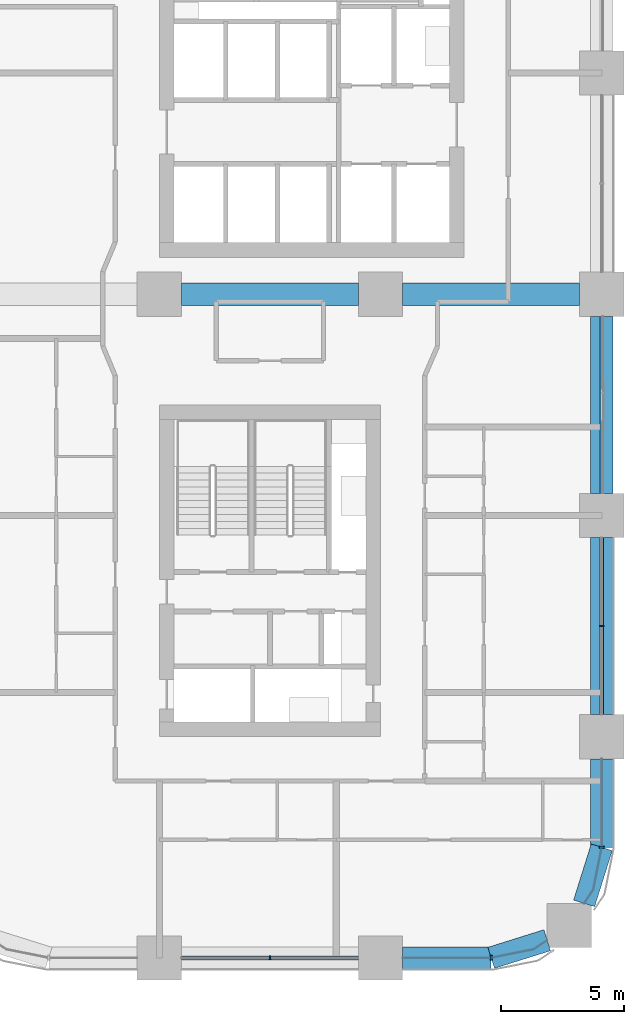
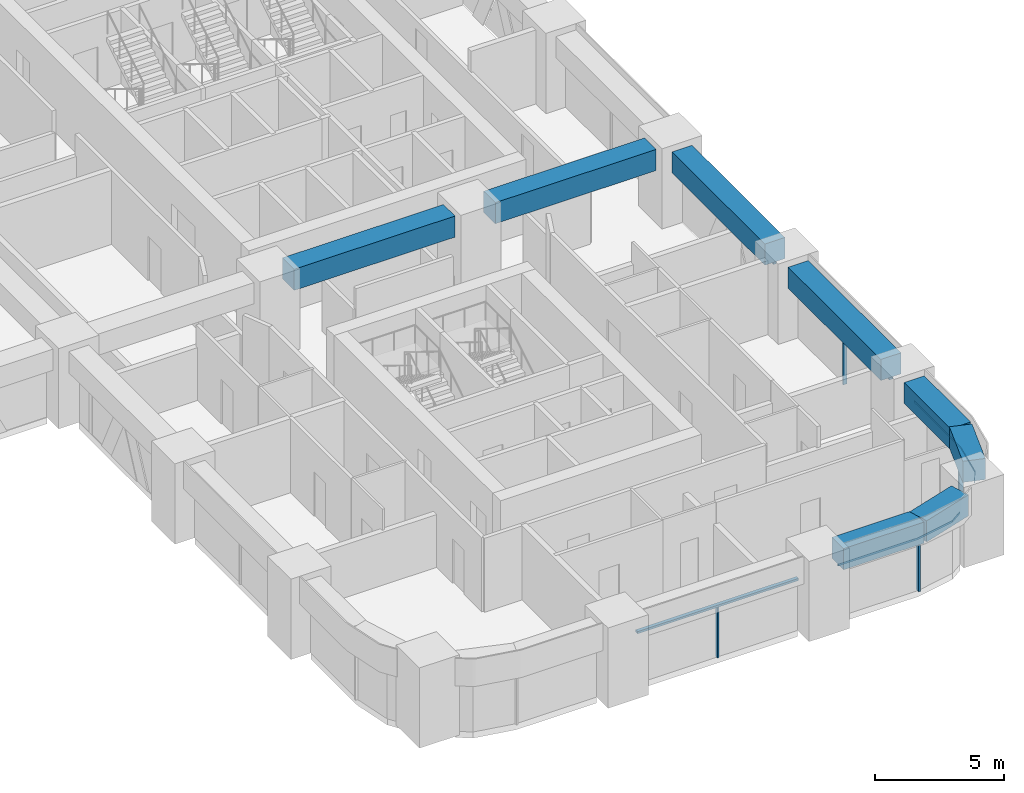
# One storey, part 5 of 24: 9 members, 8 beams, 5 elements without a shape of their own.
"""IFC4 building model written with IfcOpenShell, lengths in metres."""

from ifc_helpers import new_model, si_unit, direction, frame, origin, origin_2d, place, context, subcontext, project, spatial, polyline, rectangle, outline, extrude, material, material_profile, profile_set, type_object, element, aggregate, save


model = new_model("IFC4")

# Units and contexts
model_context = context("Model", 3, precision=1e-05, world=origin(), true_north=direction((0.0, 1.0)))
body_context = subcontext(model_context, "Body", "Model", "MODEL_VIEW")
ifc_project = project(units=[si_unit("LENGTHUNIT", "METRE"), si_unit("AREAUNIT", "SQUARE_METRE"), si_unit("VOLUMEUNIT", "CUBIC_METRE"), si_unit("PLANEANGLEUNIT", "RADIAN"), si_unit("MASSUNIT", "GRAM", prefix="KILO")], contexts=[model_context])

# Site, building, storey
site_placement = place(None, origin())
site = spatial("IfcSite", under=ifc_project, at=site_placement, CompositionType="ELEMENT")
building_placement = place(site_placement, origin())
building = spatial("IfcBuilding", under=site, at=building_placement, Name="Tessera Arch", CompositionType="ELEMENT")
storey_placement = place(building_placement, frame((0.0, 0.0, 112.0)))
storey = spatial("IfcBuildingStorey", under=building, at=storey_placement, Name="L26", CompositionType="ELEMENT", Elevation=112.0)

# Curtain wall, member
ifc_material_1 = material(Name="CW1 curtain wall")
curtain_wall_type_1 = type_object("IfcCurtainWallType", Name="CW1 curtain wall", PredefinedType="NOTDEFINED", material=ifc_material_1)
curtain_wall_1_placement = place(storey_placement, origin())
curtain_wall_1 = element("IfcCurtainWall", 1, at=curtain_wall_1_placement, inside=storey, type_object=curtain_wall_type_1, Name="CW1 curtain wall S0.27/1 L26", PredefinedType="NOTDEFINED")
ifc_material_2 = material(Name="Anodised aluminium pale metal", Category="aluminium")
ifc_material_profile_1 = material_profile(ifc_material_2, rectangle(XDim=0.159912109375, YDim=0.06005859375, at=origin_2d()), Name="AL 60x160")
ifc_profile_set_1 = profile_set([ifc_material_profile_1], Name="Anodised aluminium pale metal")
member_type_1 = type_object("IfcMemberType", Name="CW1 mullion", PredefinedType="MULLION", material=ifc_profile_set_1)
member_1_placement = place(storey_placement, frame((40.5, 0.0, 0.0), z_axis=(0.0, 0.0, 1.0), x_axis=(0.0, 1.0, 0.0)))
member_1 = element("IfcMember", 2, at=member_1_placement, type_object=member_type_1, Name="CW1 mullion S0.27/1 1", PredefinedType="MULLION", context=body_context, shape_type="SweptSolid", body=[
    extrude(rectangle(XDim=0.159912109375, YDim=0.06005859375, at=origin_2d()), origin(), (0.0, 0.0, 1.0), 2.39990234375),
])

curtain_wall_2_placement = place(storey_placement, origin())
curtain_wall_2 = element("IfcCurtainWall", 3, at=curtain_wall_2_placement, inside=storey, type_object=curtain_wall_type_1, Name="CW1 curtain wall E54.0/1 L26", PredefinedType="NOTDEFINED")
member_2_placement = place(storey_placement, frame((54.0, 13.5, 0.0), z_axis=(0.0, 0.0, 1.0), x_axis=(-1.0, 0.0, 0.0)))
member_2 = element("IfcMember", 4, at=member_2_placement, type_object=member_type_1, Name="CW1 mullion E54.0/1 1", PredefinedType="MULLION", context=body_context, shape_type="SweptSolid", body=[
    extrude(rectangle(XDim=0.159912109375, YDim=0.06005859375, at=origin_2d()), origin(), (0.0, 0.0, 1.0), 2.39990234375),
])

# Member
ifc_material_3 = material(Name="Anodised aluminium pale metal", Category="aluminium")
ifc_material_profile_2 = material_profile(ifc_material_3, rectangle(XDim=0.159912109375, YDim=0.10009765625, at=origin_2d()), Name="AL 160x100")
ifc_profile_set_2 = profile_set([ifc_material_profile_2], Name="Anodised aluminium pale metal")
member_type_2 = type_object("IfcMemberType", Name="CW1 transom", PredefinedType="USERDEFINED", material=ifc_profile_set_2)
member_3_placement = place(storey_placement, frame((36.89990234375, 0.0, 2.449951171875), z_axis=(1.0, 0.0, 0.0), x_axis=(0.0, 1.0, 0.0)))
member_3 = element("IfcMember", 5, at=member_3_placement, type_object=member_type_2, Name="CW1 transom S0.27/1 1.1", ObjectType="TRANSOM", PredefinedType="USERDEFINED", context=body_context, shape_type="SweptSolid", body=[
    extrude(rectangle(XDim=0.159912109375, YDim=0.10009765625, at=origin_2d()), origin(), (0.0, 0.0, 1.0), 7.2001953125),
])

aggregate(curtain_wall_1, [member_1, member_3])

member_4_placement = place(storey_placement, frame((54.0, 9.89990234375, 2.449951171875), z_axis=(0.0, 1.0, 0.0), x_axis=(-1.0, 0.0, 0.0)))
member_4 = element("IfcMember", 6, at=member_4_placement, type_object=member_type_2, Name="CW1 transom E54.0/1 1.1", ObjectType="TRANSOM", PredefinedType="USERDEFINED", context=body_context, shape_type="SweptSolid", body=[
    extrude(rectangle(XDim=0.159912109375, YDim=0.10009765625, at=origin_2d()), origin(), (0.0, 0.0, 1.0), 7.2001953125),
])

aggregate(curtain_wall_2, [member_2, member_4])

# Curtain wall, member
ifc_material_4 = material(Name="CW2 curtain wall")
curtain_wall_type_2 = type_object("IfcCurtainWallType", Name="CW2 curtain wall", PredefinedType="NOTDEFINED", material=ifc_material_4)
curtain_wall_3_placement = place(storey_placement, origin())
curtain_wall_3 = element("IfcCurtainWall", 7, at=curtain_wall_3_placement, inside=storey, type_object=curtain_wall_type_2, Name="CW2 curtain wall S0.27/2 L26", PredefinedType="NOTDEFINED")
ifc_material_5 = material(Name="Anodised aluminium pale metal", Category="aluminium")
ifc_material_profile_3 = material_profile(ifc_material_5, rectangle(XDim=0.199951171875, YDim=0.080078125, at=origin_2d()), Name="AL 80x200")
ifc_profile_set_3 = profile_set([ifc_material_profile_3], Name="Anodised aluminium pale metal")
member_type_3 = type_object("IfcMemberType", Name="CW2 mullion", PredefinedType="MULLION", material=ifc_profile_set_3)
member_5_placement = place(storey_placement, frame((49.5, 0.0, 0.0), z_axis=(0.0, 0.0, 1.0), x_axis=(0.0, 1.0, 0.0)))
member_5 = element("IfcMember", 8, at=member_5_placement, type_object=member_type_3, Name="CW2 mullion S0.27/2 1", PredefinedType="MULLION", context=body_context, shape_type="SweptSolid", body=[
    extrude(rectangle(XDim=0.199951171875, YDim=0.080078125, at=origin_2d()), origin(), (0.0, 0.0, 1.0), 2.39990234375),
])

curtain_wall_4_placement = place(storey_placement, origin())
curtain_wall_4 = element("IfcCurtainWall", 9, at=curtain_wall_4_placement, inside=storey, type_object=curtain_wall_type_2, Name="CW2 curtain wall E54.0/0 L26", PredefinedType="NOTDEFINED")
member_6_placement = place(storey_placement, frame((54.0, 4.5, 0.0), z_axis=(0.0, 0.0, 1.0), x_axis=(-1.0, 0.0, 0.0)))
member_6 = element("IfcMember", 10, at=member_6_placement, type_object=member_type_3, Name="CW2 mullion E54.0/0 1", PredefinedType="MULLION", context=body_context, shape_type="SweptSolid", body=[
    extrude(rectangle(XDim=0.199951171875, YDim=0.080078125, at=origin_2d()), origin(), (0.0, 0.0, 1.0), 2.39990234375),
])

# Member
ifc_material_6 = material(Name="Anodised aluminium pale metal", Category="aluminium")
ifc_material_profile_4 = material_profile(ifc_material_6, rectangle(XDim=0.199951171875, YDim=0.10009765625, at=origin_2d()), Name="AL 200x100")
ifc_profile_set_4 = profile_set([ifc_material_profile_4], Name="Anodised aluminium pale metal")
member_type_4 = type_object("IfcMemberType", Name="CW2 transom", PredefinedType="USERDEFINED", material=ifc_profile_set_4)
member_7_placement = place(storey_placement, frame((0.0, 0.0, 2.39990234375)))
member_7 = element("IfcMember", 11, at=member_7_placement, type_object=member_type_4, Name="CW2 transom S0.27/2 1", ObjectType="TRANSOM", PredefinedType="USERDEFINED", context=body_context, shape_type="SweptSolid", body=[
    extrude(outline(polyline([(49.4990234375, 0.010009765625), (45.89990234375, 0.010009765625), (45.89990234375, -0.010009765625), (49.5009765625, -0.010009765625), (51.22607421875, 0.3330078125), (51.78759765625, 0.70849609375), (51.7763671875, 0.72509765625), (51.21826171875, 0.351806640625), (49.4990234375, 0.010009765625)])), origin(), (0.0, 0.0, 1.0), 0.10009765625),
])

aggregate(curtain_wall_3, [member_5, member_7])

member_8_placement = place(storey_placement, frame((0.0, 0.0, 2.39990234375)))
member_8 = element("IfcMember", 12, at=member_8_placement, type_object=member_type_4, Name="CW2 transom E54.0/0 1", ObjectType="TRANSOM", PredefinedType="USERDEFINED", context=body_context, shape_type="SweptSolid", body=[
    extrude(outline(polyline([(53.648193359375, 2.78173828125), (53.27490234375, 2.2236328125), (53.29150390625, 2.21240234375), (53.6669921875, 2.77392578125), (54.010009765625, 4.4990234375), (54.010009765625, 8.10009765625), (53.989990234375, 8.10009765625), (53.989990234375, 4.5009765625), (53.648193359375, 2.78173828125)])), origin(), (0.0, 0.0, 1.0), 0.10009765625),
])

aggregate(curtain_wall_4, [member_6, member_8])

# Curtain wall, member
ifc_material_7 = material(Name="CW3 curtain wall")
curtain_wall_type_3 = type_object("IfcCurtainWallType", Name="CW3 curtain wall", PredefinedType="NOTDEFINED", material=ifc_material_7)
curtain_wall_5_placement = place(storey_placement, origin())
curtain_wall_5 = element("IfcCurtainWall", 13, at=curtain_wall_5_placement, inside=storey, type_object=curtain_wall_type_3, Name="CW3 curtain wall E54.0/2 L26", PredefinedType="NOTDEFINED")
ifc_material_8 = material(Name="Anodised aluminium pale metal", Category="aluminium")
ifc_material_profile_5 = material_profile(ifc_material_8, rectangle(XDim=0.139892578125, YDim=0.10009765625, at=origin_2d()), Name="AL 140x100")
ifc_profile_set_5 = profile_set([ifc_material_profile_5], Name="Anodised aluminium pale metal")
member_type_5 = type_object("IfcMemberType", Name="CW3 transom", PredefinedType="USERDEFINED", material=ifc_profile_set_5)
member_9_placement = place(storey_placement, frame((54.0, 18.89990234375, 2.449951171875), z_axis=(0.0, 1.0, 0.0), x_axis=(-1.0, 0.0, 0.0)))
member_9 = element("IfcMember", 14, at=member_9_placement, type_object=member_type_5, Name="CW3 transom E54.0/2 1.1", ObjectType="TRANSOM", PredefinedType="USERDEFINED", context=body_context, shape_type="SweptSolid", body=[
    extrude(rectangle(XDim=0.139892578125, YDim=0.10009765625, at=origin_2d()), origin(), (0.0, 0.0, 1.0), 7.2001953125),
])
aggregate(curtain_wall_5, [member_9])

# Beams
ifc_material_9 = material(Name="Concrete C80/95", Category="concrete")
ifc_material_profile_6 = material_profile(ifc_material_9, rectangle(XDim=0.89990234375, YDim=1.0, at=origin_2d()), Name="RC spandrel beam 900 x 1000 Concrete C80/95")
ifc_profile_set_6 = profile_set([ifc_material_profile_6], Name="Concrete C80/95")
beam_type = type_object("IfcBeamType", Name="RC spandrel beam 900 x 1000 Concrete C80/95", PredefinedType="BEAM", material=ifc_profile_set_6)
beam_1_placement = place(storey_placement, frame((45.89990234375, 0.0, 3.0), z_axis=(1.0, 0.0, 0.0), x_axis=(0.0, 1.0, 0.0)))
element("IfcBeam", 15, at=beam_1_placement, inside=storey, type_object=beam_type, Name="Spandrel beam L26 S0.27/2.1", PredefinedType="BEAM", context=body_context, shape_type="SweptSolid", body=[
    extrude(rectangle(XDim=0.89990234375, YDim=1.0, at=origin_2d()), origin(), (0.0, 0.0, 1.0), 3.60009765625),
])
for number, where, z_axis, x_axis, name in (
    (16, (49.5, 0.0, 3.0), (0.954041251279, 0.299675309057, 0.0), (-0.299675309057, 0.954041251279, 0.0), "Spandrel beam L26 S0.27/2.2"),
    (17, (53.283203125, 2.218017578125, 3.0), (0.299675309057, 0.954041251279, 0.0), (-0.954041251279, 0.299675309057, 0.0), "Spandrel beam L26 E54.0/0.1"),
):
    element("IfcBeam", number, at=place(storey_placement, frame(where, z_axis=z_axis, x_axis=x_axis)), inside=storey, type_object=beam_type, Name=name, PredefinedType="BEAM", context=body_context, shape_type="SweptSolid", body=[
        extrude(rectangle(XDim=0.89990234375, YDim=1.0, at=origin_2d()), origin(), (0.0, 0.0, 1.0), 2.391845703125),
    ])
beam_2_placement = place(storey_placement, frame((54.0, 4.5, 3.0), z_axis=(0.0, 1.0, 0.0), x_axis=(-1.0, 0.0, 0.0)))
element("IfcBeam", 18, at=beam_2_placement, inside=storey, type_object=beam_type, Name="Spandrel beam L26 E54.0/0.2", PredefinedType="BEAM", context=body_context, shape_type="SweptSolid", body=[
    extrude(rectangle(XDim=0.89990234375, YDim=1.0, at=origin_2d()), origin(), (0.0, 0.0, 1.0), 3.60009765625),
])
for number, where, z_axis, x_axis, name in (
    (19, (54.0, 9.89990234375, 3.0), (0.0, 1.0, 0.0), (-1.0, 0.0, 0.0), "Spandrel beam L26 E54.0/1"),
    (20, (54.0, 18.89990234375, 3.0), (0.0, 1.0, 0.0), (-1.0, 0.0, 0.0), "Spandrel beam L26 E54.0/2"),
    (21, (36.89990234375, 27.0, 3.0), (1.0, 0.0, 0.0), (0.0, 1.0, 0.0), "Interface beam L26 I1C5D-C6D"),
    (22, (45.89990234375, 27.0, 3.0), (1.0, 0.0, 0.0), (0.0, 1.0, 0.0), "Interface beam L26 I1C6D-C7D"),
):
    element("IfcBeam", number, at=place(storey_placement, frame(where, z_axis=z_axis, x_axis=x_axis)), inside=storey, type_object=beam_type, Name=name, PredefinedType="BEAM", context=body_context, shape_type="SweptSolid", body=[
        extrude(rectangle(XDim=0.89990234375, YDim=1.0, at=origin_2d()), origin(), (0.0, 0.0, 1.0), 7.2001953125),
    ])

save(model, "model.ifc")
